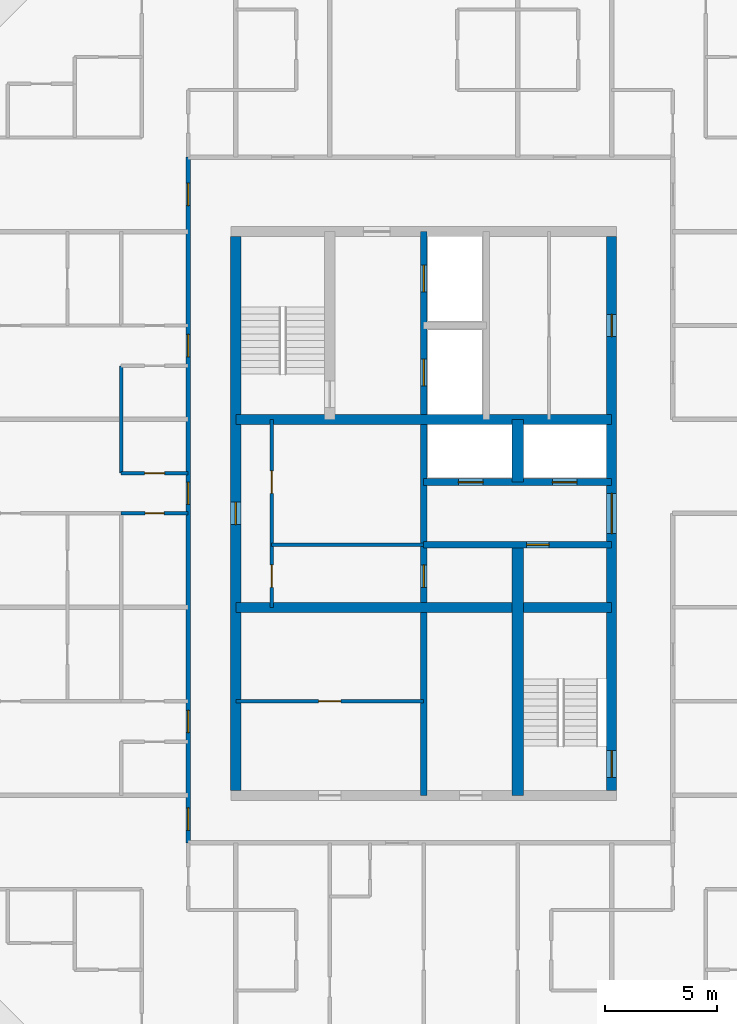
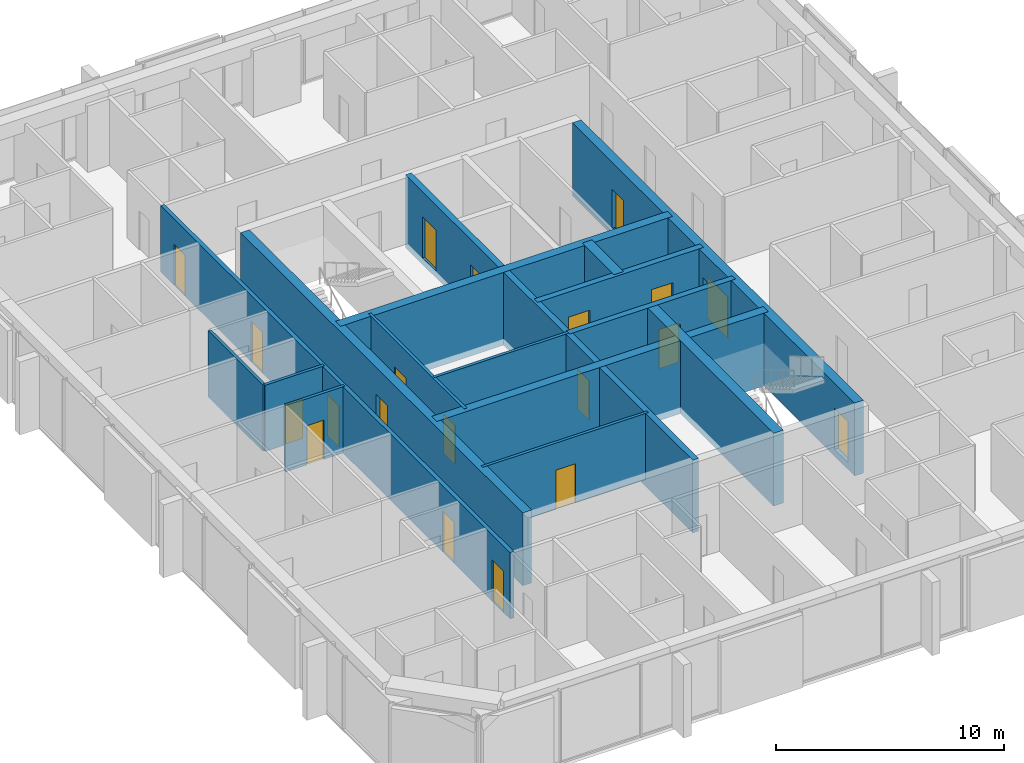
# One storey, part 8 of 12: 20 doors, 16 walls, 20 openings.
"""IFC4 building model written with IfcOpenShell, lengths in metres."""

from ifc_helpers import new_model, si_unit, direction, frame, frame_2d, origin, place, context, subcontext, project, spatial, rectangle, extrude, material, layer, layer_set, type_object, element, fill, save


model = new_model("IFC4")

# Units and contexts
model_context = context("Model", 3, precision=1e-05, world=origin(), true_north=direction((0.0, 1.0)))
body_context = subcontext(model_context, "Body", "Model", "MODEL_VIEW")
ifc_project = project(units=[si_unit("LENGTHUNIT", "METRE"), si_unit("AREAUNIT", "SQUARE_METRE"), si_unit("VOLUMEUNIT", "CUBIC_METRE"), si_unit("PLANEANGLEUNIT", "RADIAN"), si_unit("MASSUNIT", "GRAM", prefix="KILO")], contexts=[model_context])

# Site, building, storey
site_placement = place(None, origin())
site = spatial("IfcSite", under=ifc_project, at=site_placement, CompositionType="ELEMENT")
building_placement = place(site_placement, origin())
building = spatial("IfcBuilding", under=site, at=building_placement, Name="Dunama Terrace Hotel", CompositionType="ELEMENT")
storey_placement = place(building_placement, frame((0.0, 0.0, 260.699951171875)))
storey = spatial("IfcBuildingStorey", under=building, at=storey_placement, Name="L67", CompositionType="ELEMENT", Elevation=260.699951171875)

# Wall, opening, door
ifc_material_1 = material(Name="Gypsum board partition", Category="masonry")
ifc_layer_1 = layer(ifc_material_1, 0.14990234375)
ifc_layer_set_1 = layer_set([ifc_layer_1], Name="Bathroom partition 150")
wall_type_1 = type_object("IfcWallType", Name="Bathroom partition 150", PredefinedType="PARTITIONING", material=ifc_layer_set_1)
wall_1_placement = place(storey_placement, frame((20.074951171875, 29.39990234375, 0.0), z_axis=(0.0, 0.0, 1.0), x_axis=(1.0, 0.0, 0.0)))
wall_1 = element("IfcWall", 1, at=wall_1_placement, inside=storey, type_object=wall_type_1, Name="Bathroom partition 150 L67", PredefinedType="PARTITIONING", context=body_context, shape_type="SweptSolid", body=[
    extrude(rectangle(XDim=3.0, YDim=0.14990234375, at=frame_2d((1.5, 0.0))), origin(), (0.0, 0.0, 1.0), 3.550048828125),
])
opening_1_placement = place(wall_1_placement, frame((1.074951171875, 0.0, 0.0)))
opening_1 = element("IfcOpeningElement", 2, at=opening_1_placement, cuts=wall_1, Name="Opening L65-67-036", PredefinedType="OPENING", context=body_context, shape_type="SweptSolid", body=[
    extrude(rectangle(XDim=0.85009765625, YDim=2.10009765625, at=frame_2d((0.425048828125, 1.050048828125))), frame((0.0, 0.0849609375, 0.0), z_axis=(0.0, -1.0, 0.0), x_axis=(1.0, 0.0, 0.0)), (0.0, 0.0, 1.0), 0.169921875),
])
ifc_material_2 = material(Name="Timber door with steel frame", Category="steel")
door_type_1 = type_object("IfcDoorType", Name="Bathroom door 850", OperationType="SINGLE_SWING_LEFT", PredefinedType="DOOR", material=ifc_material_2)
door_1_placement = place(opening_1_placement, frame((0.85009765625, 0.0, 0.0), z_axis=(0.0, 0.0, 1.0), x_axis=(-1.0, 0.0, 0.0)))
door_1 = element("IfcDoor", 3, at=door_1_placement, inside=storey, type_object=door_type_1, Name="Door to residence bathroom L65-67-036, type D2", OperationType="SINGLE_SWING_LEFT", OverallHeight=2.10009765625, OverallWidth=0.85009765625, PredefinedType="DOOR", context=body_context, shape_type="SweptSolid", body=[
    extrude(rectangle(XDim=0.85009765625, YDim=2.10009765625, at=frame_2d((0.425048828125, 1.050048828125))), frame((0.0, 0.025146484375, 0.0), z_axis=(0.0, -1.0, 0.0), x_axis=(1.0, 0.0, 0.0)), (0.0, 0.0, 1.0), 0.050048828125),
])
fill(opening_1, door_1)

# Wall, openings, doors
ifc_material_3 = material(Name="Concrete C50/60", Category="concrete")
ifc_layer_2 = layer(ifc_material_3, 0.300048828125)
ifc_layer_set_2 = layer_set([ifc_layer_2], Name="Core inner wall 300")
wall_type_2 = type_object("IfcWallType", Name="Core inner wall 300", PredefinedType="SHEAR", material=ifc_layer_set_2)
wall_2_placement = place(storey_placement, frame((33.60009765625, 16.800048828125, -0.349853515625), z_axis=(0.0, 0.0, 1.0), x_axis=(0.0, 1.0, 0.0)))
wall_2 = element("IfcWall", 4, at=wall_2_placement, inside=storey, type_object=wall_type_2, Name="Core inner wall 300 L67", PredefinedType="SHEAR", context=body_context, shape_type="SweptSolid", body=[
    extrude(rectangle(XDim=25.199951171875, YDim=0.300048828125, at=frame_2d((12.60009765625, 0.0))), origin(), (0.0, 0.0, 1.0), 3.89990234375),
])
opening_2_placement = place(wall_2_placement, frame((22.5, 0.0, 0.35009765625)))
opening_2 = element("IfcOpeningElement", 5, at=opening_2_placement, cuts=wall_2, Name="Opening L65-67-005", PredefinedType="OPENING", context=body_context, shape_type="SweptSolid", body=[
    extrude(rectangle(XDim=1.199951171875, YDim=2.199951171875, at=frame_2d((0.60009765625, 1.10009765625))), frame((0.0, 0.159912109375, 0.0), z_axis=(0.0, -1.0, 0.0), x_axis=(1.0, 0.0, 0.0)), (0.0, 0.0, 1.0), 0.320068359375),
])
opening_3_placement = place(wall_2_placement, frame((18.300048828125, 0.0, 0.35009765625)))
opening_3 = element("IfcOpeningElement", 6, at=opening_3_placement, cuts=wall_2, Name="Opening L65-67-006", PredefinedType="OPENING", context=body_context, shape_type="SweptSolid", body=[
    extrude(rectangle(XDim=1.199951171875, YDim=2.199951171875, at=frame_2d((0.60009765625, 1.10009765625))), frame((0.0, 0.159912109375, 0.0), z_axis=(0.0, -1.0, 0.0), x_axis=(1.0, 0.0, 0.0)), (0.0, 0.0, 1.0), 0.320068359375),
])
opening_4_placement = place(wall_2_placement, frame((9.300048828125, 0.0, 0.35009765625)))
opening_4 = element("IfcOpeningElement", 7, at=opening_4_placement, cuts=wall_2, Name="Opening L65-67-067", PredefinedType="OPENING", context=body_context, shape_type="SweptSolid", body=[
    extrude(rectangle(XDim=1.0, YDim=2.10009765625, at=frame_2d((0.5, 1.050048828125))), frame((0.0, 0.159912109375, 0.0), z_axis=(0.0, -1.0, 0.0), x_axis=(1.0, 0.0, 0.0)), (0.0, 0.0, 1.0), 0.320068359375),
])
ifc_material_4 = material(Name="Stainless steel lift door", Category="steel")
door_type_2 = type_object("IfcDoorType", Name="Firefighting lift landing door 1200", OperationType="DOUBLE_DOOR_SLIDING", PredefinedType="DOOR", material=ifc_material_4)
door_2_placement = place(opening_2_placement, origin())
door_2 = element("IfcDoor", 8, at=door_2_placement, inside=storey, type_object=door_type_2, Name="Landing door FL1 L65-67-005, type LD2", OperationType="DOUBLE_DOOR_SLIDING", OverallHeight=2.199951171875, OverallWidth=1.199951171875, PredefinedType="DOOR", context=body_context, shape_type="SweptSolid", body=[
    extrude(rectangle(XDim=1.199951171875, YDim=2.199951171875, at=frame_2d((0.60009765625, 1.10009765625))), frame((0.0, 0.02490234375, 0.0), z_axis=(0.0, -1.0, 0.0), x_axis=(1.0, 0.0, 0.0)), (0.0, 0.0, 1.0), 0.050048828125),
])
fill(opening_2, door_2)
door_3_placement = place(opening_3_placement, origin())
door_3 = element("IfcDoor", 9, at=door_3_placement, inside=storey, type_object=door_type_2, Name="Landing door FL2 L65-67-006, type LD2", OperationType="DOUBLE_DOOR_SLIDING", OverallHeight=2.199951171875, OverallWidth=1.199951171875, PredefinedType="DOOR", context=body_context, shape_type="SweptSolid", body=[
    extrude(rectangle(XDim=1.199951171875, YDim=2.199951171875, at=frame_2d((0.60009765625, 1.10009765625))), frame((0.0, 0.02490234375, 0.0), z_axis=(0.0, -1.0, 0.0), x_axis=(1.0, 0.0, 0.0)), (0.0, 0.0, 1.0), 0.050048828125),
])
fill(opening_3, door_3)
ifc_material_5 = material(Name="Timber door with steel frame", Category="steel")
door_type_3 = type_object("IfcDoorType", Name="Service door 1000", OperationType="SINGLE_SWING_LEFT", PredefinedType="DOOR", material=ifc_material_5)
door_4_placement = place(opening_4_placement, frame((1.0, 0.0, 0.0), z_axis=(0.0, 0.0, 1.0), x_axis=(-1.0, 0.0, 0.0)))
door_4 = element("IfcDoor", 10, at=door_4_placement, inside=storey, type_object=door_type_3, Name="Door to service riser L65-67-067, type D7", OperationType="SINGLE_SWING_RIGHT", OverallHeight=2.10009765625, OverallWidth=1.0, PredefinedType="DOOR", context=body_context, shape_type="SweptSolid", body=[
    extrude(rectangle(XDim=1.0, YDim=2.10009765625, at=frame_2d((0.5, 1.050048828125))), frame((0.0, 0.025146484375, 0.0), z_axis=(0.0, -1.0, 0.0), x_axis=(1.0, 0.0, 0.0)), (0.0, 0.0, 1.0), 0.050048828125),
])
fill(opening_4, door_4)

# Wall, opening, door
wall_3_placement = place(storey_placement, frame((33.60009765625, 28.0, -0.349853515625), z_axis=(0.0, 0.0, 1.0), x_axis=(1.0, 0.0, 0.0)))
wall_3 = element("IfcWall", 11, at=wall_3_placement, inside=storey, type_object=wall_type_2, Name="Core inner wall 300 L67", PredefinedType="SHEAR", context=body_context, shape_type="SweptSolid", body=[
    extrude(rectangle(XDim=8.39990234375, YDim=0.300048828125, at=frame_2d((4.199951171875, 0.0))), origin(), (0.0, 0.0, 1.0), 3.89990234375),
])
opening_5_placement = place(wall_3_placement, frame((4.60009765625, 0.0, 0.35009765625)))
opening_5 = element("IfcOpeningElement", 12, at=opening_5_placement, cuts=wall_3, Name="Opening L65-67-068", PredefinedType="OPENING", context=body_context, shape_type="SweptSolid", body=[
    extrude(rectangle(XDim=1.0, YDim=2.10009765625, at=frame_2d((0.5, 1.050048828125))), frame((0.0, 0.159912109375, 0.0), z_axis=(0.0, -1.0, 0.0), x_axis=(1.0, 0.0, 0.0)), (0.0, 0.0, 1.0), 0.320068359375),
])
door_5_placement = place(opening_5_placement, frame((1.0, 0.0, 0.0), z_axis=(0.0, 0.0, 1.0), x_axis=(-1.0, 0.0, 0.0)))
door_5 = element("IfcDoor", 13, at=door_5_placement, inside=storey, type_object=door_type_3, Name="Door to ice and vending room L65-67-068, type D7", OperationType="SINGLE_SWING_RIGHT", OverallHeight=2.10009765625, OverallWidth=1.0, PredefinedType="DOOR", context=body_context, shape_type="SweptSolid", body=[
    extrude(rectangle(XDim=1.0, YDim=2.10009765625, at=frame_2d((0.5, 1.050048828125))), frame((0.0, 0.025146484375, 0.0), z_axis=(0.0, -1.0, 0.0), x_axis=(1.0, 0.0, 0.0)), (0.0, 0.0, 1.0), 0.050048828125),
])
fill(opening_5, door_5)

# Wall, openings, doors
wall_4_placement = place(storey_placement, frame((33.60009765625, 30.800048828125, -0.349853515625), z_axis=(0.0, 0.0, 1.0), x_axis=(1.0, 0.0, 0.0)))
wall_4 = element("IfcWall", 14, at=wall_4_placement, inside=storey, type_object=wall_type_2, Name="Core inner wall 300 L67", PredefinedType="SHEAR", context=body_context, shape_type="SweptSolid", body=[
    extrude(rectangle(XDim=8.39990234375, YDim=0.300048828125, at=frame_2d((4.199951171875, 0.0))), origin(), (0.0, 0.0, 1.0), 3.89990234375),
])
opening_6_placement = place(wall_4_placement, frame((1.550048828125, 0.0, 0.35009765625)))
opening_6 = element("IfcOpeningElement", 15, at=opening_6_placement, cuts=wall_4, Name="Opening L65-67-003", PredefinedType="OPENING", context=body_context, shape_type="SweptSolid", body=[
    extrude(rectangle(XDim=1.10009765625, YDim=2.199951171875, at=frame_2d((0.550048828125, 1.10009765625))), frame((0.0, 0.159912109375, 0.0), z_axis=(0.0, -1.0, 0.0), x_axis=(1.0, 0.0, 0.0)), (0.0, 0.0, 1.0), 0.320068359375),
])
opening_7_placement = place(wall_4_placement, frame((5.75, 0.0, 0.35009765625)))
opening_7 = element("IfcOpeningElement", 16, at=opening_7_placement, cuts=wall_4, Name="Opening L65-67-004", PredefinedType="OPENING", context=body_context, shape_type="SweptSolid", body=[
    extrude(rectangle(XDim=1.10009765625, YDim=2.199951171875, at=frame_2d((0.550048828125, 1.10009765625))), frame((0.0, 0.159912109375, 0.0), z_axis=(0.0, -1.0, 0.0), x_axis=(1.0, 0.0, 0.0)), (0.0, 0.0, 1.0), 0.320068359375),
])
ifc_material_6 = material(Name="Stainless steel lift door", Category="steel")
door_type_4 = type_object("IfcDoorType", Name="Lift landing door 1100", OperationType="DOUBLE_DOOR_SLIDING", PredefinedType="DOOR", material=ifc_material_6)
door_6_placement = place(opening_6_placement, origin())
door_6 = element("IfcDoor", 17, at=door_6_placement, inside=storey, type_object=door_type_4, Name="Landing door PD1 L65-67-003, type LD1", OperationType="DOUBLE_DOOR_SLIDING", OverallHeight=2.199951171875, OverallWidth=1.10009765625, PredefinedType="DOOR", context=body_context, shape_type="SweptSolid", body=[
    extrude(rectangle(XDim=1.10009765625, YDim=2.199951171875, at=frame_2d((0.550048828125, 1.10009765625))), frame((0.0, 0.02490234375, 0.0), z_axis=(0.0, -1.0, 0.0), x_axis=(1.0, 0.0, 0.0)), (0.0, 0.0, 1.0), 0.050048828125),
])
fill(opening_6, door_6)
door_7_placement = place(opening_7_placement, origin())
door_7 = element("IfcDoor", 18, at=door_7_placement, inside=storey, type_object=door_type_4, Name="Landing door PD2 L65-67-004, type LD1", OperationType="DOUBLE_DOOR_SLIDING", OverallHeight=2.199951171875, OverallWidth=1.10009765625, PredefinedType="DOOR", context=body_context, shape_type="SweptSolid", body=[
    extrude(rectangle(XDim=1.10009765625, YDim=2.199951171875, at=frame_2d((0.550048828125, 1.10009765625))), frame((0.0, 0.02490234375, 0.0), z_axis=(0.0, -1.0, 0.0), x_axis=(1.0, 0.0, 0.0)), (0.0, 0.0, 1.0), 0.050048828125),
])
fill(opening_7, door_7)

# Walls
ifc_material_7 = material(Name="Concrete C50/60", Category="concrete")
ifc_layer_3 = layer(ifc_material_7, 0.449951171875)
ifc_layer_set_3 = layer_set([ifc_layer_3], Name="Core inner wall 450")
wall_type_3 = type_object("IfcWallType", Name="Core inner wall 450", PredefinedType="SHEAR", material=ifc_layer_set_3)
for number, where, z_axis, x_axis, name in (
    (19, (25.199951171875, 25.199951171875, -0.349853515625), (0.0, 0.0, 1.0), (1.0, 0.0, 0.0), "Core inner wall 450 L67"),
    (20, (25.199951171875, 33.60009765625, -0.349853515625), (0.0, 0.0, 1.0), (1.0, 0.0, 0.0), "Core inner wall 450 L67"),
):
    element("IfcWall", number, at=place(storey_placement, frame(where, z_axis=z_axis, x_axis=x_axis)), inside=storey, type_object=wall_type_3, Name=name, PredefinedType="SHEAR", context=body_context, shape_type="SweptSolid", body=[
        extrude(rectangle(XDim=16.800048828125, YDim=0.449951171875, at=frame_2d((8.39990234375, 0.0))), origin(), (0.0, 0.0, 1.0), 3.89990234375),
    ])
ifc_material_8 = material(Name="Concrete C50/60", Category="concrete")
ifc_layer_4 = layer(ifc_material_8, 0.5)
ifc_layer_set_4 = layer_set([ifc_layer_4], Name="Core inner wall 500")
wall_type_4 = type_object("IfcWallType", Name="Core inner wall 500", PredefinedType="SHEAR", material=ifc_layer_set_4)
wall_5_placement = place(storey_placement, frame((37.800048828125, 16.800048828125, -0.349853515625), z_axis=(0.0, 0.0, 1.0), x_axis=(0.0, 1.0, 0.0)))
element("IfcWall", 21, at=wall_5_placement, inside=storey, type_object=wall_type_4, Name="Core inner wall 500 L67", PredefinedType="SHEAR", context=body_context, shape_type="SweptSolid", body=[
    extrude(rectangle(XDim=11.199951171875, YDim=0.5, at=frame_2d((5.60009765625, 0.0))), origin(), (0.0, 0.0, 1.0), 3.89990234375),
])
wall_6_placement = place(storey_placement, frame((37.800048828125, 30.800048828125, -0.349853515625), z_axis=(0.0, 0.0, 1.0), x_axis=(0.0, 1.0, 0.0)))
element("IfcWall", 22, at=wall_6_placement, inside=storey, type_object=wall_type_4, Name="Core inner wall 500 L67", PredefinedType="SHEAR", context=body_context, shape_type="SweptSolid", body=[
    extrude(rectangle(XDim=2.800048828125, YDim=0.5, at=frame_2d((1.39990234375, 0.0))), origin(), (0.0, 0.0, 1.0), 3.89990234375),
])

# Wall, openings, doors
ifc_material_9 = material(Name="Concrete C50/60", Category="concrete")
ifc_layer_5 = layer(ifc_material_9, 0.449951171875)
ifc_layer_set_5 = layer_set([ifc_layer_5], Name="Core wall 450")
wall_type_5 = type_object("IfcWallType", Name="Core wall 450", PredefinedType="SHEAR", material=ifc_layer_set_5)
wall_7_placement = place(storey_placement, frame((42.0, 17.02490234375, -0.349853515625), z_axis=(0.0, 0.0, 1.0), x_axis=(0.0, 1.0, 0.0)))
wall_7 = element("IfcWall", 23, at=wall_7_placement, inside=storey, type_object=wall_type_5, Name="Core wall east L67", PredefinedType="SHEAR", context=body_context, shape_type="SweptSolid", body=[
    extrude(rectangle(XDim=24.75, YDim=0.449951171875, at=frame_2d((12.375, 0.0))), origin(), (0.0, 0.0, 1.0), 3.89990234375),
])
opening_8_placement = place(wall_7_placement, frame((0.574951171875, 0.0, 0.35009765625)))
opening_8 = element("IfcOpeningElement", 24, at=opening_8_placement, cuts=wall_7, Name="Opening L65-67-002", PredefinedType="OPENING", context=body_context, shape_type="SweptSolid", body=[
    extrude(rectangle(XDim=1.199951171875, YDim=2.199951171875, at=frame_2d((0.60009765625, 1.10009765625))), frame((0.0, 0.23486328125, 0.0), z_axis=(0.0, -1.0, 0.0), x_axis=(1.0, 0.0, 0.0)), (0.0, 0.0, 1.0), 0.469970703125),
])
opening_9_placement = place(wall_7_placement, frame((11.47509765625, 0.0, 0.35009765625)))
opening_9 = element("IfcOpeningElement", 25, at=opening_9_placement, cuts=wall_7, Name="Opening L65-67-069", PredefinedType="OPENING", context=body_context, shape_type="SweptSolid", body=[
    extrude(rectangle(XDim=1.800048828125, YDim=2.199951171875, at=frame_2d((0.89990234375, 1.10009765625))), frame((0.0, 0.23486328125, 0.0), z_axis=(0.0, -1.0, 0.0), x_axis=(1.0, 0.0, 0.0)), (0.0, 0.0, 1.0), 0.469970703125),
])
opening_10_placement = place(wall_7_placement, frame((20.27490234375, 0.0, 0.35009765625)))
opening_10 = element("IfcOpeningElement", 26, at=opening_10_placement, cuts=wall_7, Name="Opening L65-67-071", PredefinedType="OPENING", context=body_context, shape_type="SweptSolid", body=[
    extrude(rectangle(XDim=1.0, YDim=2.10009765625, at=frame_2d((0.5, 1.050048828125))), frame((0.0, 0.23486328125, 0.0), z_axis=(0.0, -1.0, 0.0), x_axis=(1.0, 0.0, 0.0)), (0.0, 0.0, 1.0), 0.469970703125),
])
ifc_material_10 = material(Name="Timber door with steel frame", Category="steel")
door_type_5 = type_object("IfcDoorType", Name="Lift lobby double door 1800", OperationType="DOUBLE_DOOR_DOUBLE_SWING", PredefinedType="DOOR", material=ifc_material_10)
door_8_placement = place(opening_9_placement, origin())
door_8 = element("IfcDoor", 27, at=door_8_placement, inside=storey, type_object=door_type_5, Name="Door to lift lobby L65-67-069, type D3", OperationType="DOUBLE_DOOR_DOUBLE_SWING", OverallHeight=2.199951171875, OverallWidth=1.800048828125, PredefinedType="DOOR", context=body_context, shape_type="SweptSolid", body=[
    extrude(rectangle(XDim=1.800048828125, YDim=2.199951171875, at=frame_2d((0.89990234375, 1.10009765625))), frame((0.0, 0.02490234375, 0.0), z_axis=(0.0, -1.0, 0.0), x_axis=(1.0, 0.0, 0.0)), (0.0, 0.0, 1.0), 0.050048828125),
])
fill(opening_9, door_8)
door_9_placement = place(opening_10_placement, origin())
door_9 = element("IfcDoor", 28, at=door_9_placement, inside=storey, type_object=door_type_3, Name="Door to housekeeping store L65-67-071, type D7", OperationType="SINGLE_SWING_LEFT", OverallHeight=2.10009765625, OverallWidth=1.0, PredefinedType="DOOR", context=body_context, shape_type="SweptSolid", body=[
    extrude(rectangle(XDim=1.0, YDim=2.10009765625, at=frame_2d((0.5, 1.050048828125))), frame((0.0, 0.02490234375, 0.0), z_axis=(0.0, -1.0, 0.0), x_axis=(1.0, 0.0, 0.0)), (0.0, 0.0, 1.0), 0.050048828125),
])
fill(opening_10, door_9)
ifc_material_11 = material(Name="Timber door with steel frame", Category="steel")
door_type_6 = type_object("IfcDoorType", Name="Stair door 1200", OperationType="SINGLE_SWING_LEFT", PredefinedType="DOOR", material=ifc_material_11)
door_10_placement = place(opening_8_placement, origin())
door_10 = element("IfcDoor", 29, at=door_10_placement, inside=storey, type_object=door_type_6, Name="Stair door ST2 L65-67-002, type D5", OperationType="SINGLE_SWING_LEFT", OverallHeight=2.199951171875, OverallWidth=1.199951171875, PredefinedType="DOOR", context=body_context, shape_type="SweptSolid", body=[
    extrude(rectangle(XDim=1.199951171875, YDim=2.199951171875, at=frame_2d((0.60009765625, 1.10009765625))), frame((0.0, 0.02490234375, 0.0), z_axis=(0.0, -1.0, 0.0), x_axis=(1.0, 0.0, 0.0)), (0.0, 0.0, 1.0), 0.050048828125),
])
fill(opening_8, door_10)

# Wall, opening, door
wall_8_placement = place(storey_placement, frame((25.199951171875, 41.77490234375, -0.349853515625), z_axis=(0.0, 0.0, 1.0), x_axis=(0.0, -1.0, 0.0)))
wall_8 = element("IfcWall", 30, at=wall_8_placement, inside=storey, type_object=wall_type_5, Name="Core wall west L67", PredefinedType="SHEAR", context=body_context, shape_type="SweptSolid", body=[
    extrude(rectangle(XDim=24.75, YDim=0.449951171875, at=frame_2d((12.375, 0.0))), origin(), (0.0, 0.0, 1.0), 3.89990234375),
])
opening_11_placement = place(wall_8_placement, frame((11.875, 0.0, 0.35009765625)))
opening_11 = element("IfcOpeningElement", 31, at=opening_11_placement, cuts=wall_8, Name="Opening L65-67-064", PredefinedType="OPENING", context=body_context, shape_type="SweptSolid", body=[
    extrude(rectangle(XDim=1.0, YDim=2.10009765625, at=frame_2d((0.5, 1.050048828125))), frame((0.0, 0.23486328125, 0.0), z_axis=(0.0, -1.0, 0.0), x_axis=(1.0, 0.0, 0.0)), (0.0, 0.0, 1.0), 0.469970703125),
])
door_11_placement = place(opening_11_placement, origin())
door_11 = element("IfcDoor", 32, at=door_11_placement, inside=storey, type_object=door_type_3, Name="Door to staff passage L65-67-064, type D7", OperationType="SINGLE_SWING_LEFT", OverallHeight=2.10009765625, OverallWidth=1.0, PredefinedType="DOOR", context=body_context, shape_type="SweptSolid", body=[
    extrude(rectangle(XDim=1.0, YDim=2.10009765625, at=frame_2d((0.5, 1.050048828125))), frame((0.0, 0.02490234375, 0.0), z_axis=(0.0, -1.0, 0.0), x_axis=(1.0, 0.0, 0.0)), (0.0, 0.0, 1.0), 0.050048828125),
])
fill(opening_11, door_11)

# Wall, openings, doors
ifc_material_12 = material(Name="Concrete blockwork", Category="masonry")
ifc_layer_6 = layer(ifc_material_12, 0.199951171875)
ifc_layer_set_6 = layer_set([ifc_layer_6], Name="Corridor partition 200")
wall_type_6 = type_object("IfcWallType", Name="Corridor partition 200", PredefinedType="PARTITIONING", material=ifc_layer_set_6)
wall_9_placement = place(storey_placement, frame((23.074951171875, 14.675048828125, 0.0), z_axis=(0.0, 0.0, 1.0), x_axis=(0.0, 1.0, 0.0)))
wall_9 = element("IfcWall", 33, at=wall_9_placement, inside=storey, type_object=wall_type_6, Name="Corridor partition 200 L67", PredefinedType="PARTITIONING", context=body_context, shape_type="SweptSolid", body=[
    extrude(rectangle(XDim=30.64990234375, YDim=0.199951171875, at=frame_2d((15.324951171875, 0.0))), origin(), (0.0, 0.0, 1.0), 3.550048828125),
])
opening_12_placement = place(wall_9_placement, frame((4.925048828125, 0.0, 0.0)))
opening_12 = element("IfcOpeningElement", 34, at=opening_12_placement, cuts=wall_9, Name="Opening L65-67-029", PredefinedType="OPENING", context=body_context, shape_type="SweptSolid", body=[
    extrude(rectangle(XDim=1.0, YDim=2.199951171875, at=frame_2d((0.5, 1.10009765625))), frame((0.0, 0.10986328125, 0.0), z_axis=(0.0, -1.0, 0.0), x_axis=(1.0, 0.0, 0.0)), (0.0, 0.0, 1.0), 0.219970703125),
])
opening_13_placement = place(wall_9_placement, frame((15.125, 0.0, 0.0)))
opening_13 = element("IfcOpeningElement", 35, at=opening_13_placement, cuts=wall_9, Name="Opening L65-67-034", PredefinedType="OPENING", context=body_context, shape_type="SweptSolid", body=[
    extrude(rectangle(XDim=1.0, YDim=2.199951171875, at=frame_2d((0.5, 1.10009765625))), frame((0.0, 0.10986328125, 0.0), z_axis=(0.0, -1.0, 0.0), x_axis=(1.0, 0.0, 0.0)), (0.0, 0.0, 1.0), 0.219970703125),
])
opening_14_placement = place(wall_9_placement, frame((21.72509765625, 0.0, 0.0)))
opening_14 = element("IfcOpeningElement", 36, at=opening_14_placement, cuts=wall_9, Name="Opening L65-67-039", PredefinedType="OPENING", context=body_context, shape_type="SweptSolid", body=[
    extrude(rectangle(XDim=1.0, YDim=2.199951171875, at=frame_2d((0.5, 1.10009765625))), frame((0.0, 0.10986328125, 0.0), z_axis=(0.0, -1.0, 0.0), x_axis=(1.0, 0.0, 0.0)), (0.0, 0.0, 1.0), 0.219970703125),
])
opening_15_placement = place(wall_9_placement, frame((0.56298828125, 0.0, 0.0)))
opening_15 = element("IfcOpeningElement", 37, at=opening_15_placement, cuts=wall_9, Name="Opening L65-67-044", PredefinedType="OPENING", context=body_context, shape_type="SweptSolid", body=[
    extrude(rectangle(XDim=1.0, YDim=2.199951171875, at=frame_2d((0.5, 1.10009765625))), frame((0.0, 0.10986328125, 0.0), z_axis=(0.0, -1.0, 0.0), x_axis=(1.0, 0.0, 0.0)), (0.0, 0.0, 1.0), 0.219970703125),
])
opening_16_placement = place(wall_9_placement, frame((28.488037109375, 0.0, 0.0)))
opening_16 = element("IfcOpeningElement", 38, at=opening_16_placement, cuts=wall_9, Name="Opening L65-67-059", PredefinedType="OPENING", context=body_context, shape_type="SweptSolid", body=[
    extrude(rectangle(XDim=1.0, YDim=2.199951171875, at=frame_2d((0.5, 1.10009765625))), frame((0.0, 0.10986328125, 0.0), z_axis=(0.0, -1.0, 0.0), x_axis=(1.0, 0.0, 0.0)), (0.0, 0.0, 1.0), 0.219970703125),
])
ifc_material_13 = material(Name="Timber door with steel frame", Category="steel")
door_type_7 = type_object("IfcDoorType", Name="Guest room door 1000", OperationType="SINGLE_SWING_LEFT", PredefinedType="DOOR", material=ifc_material_13)
door_12_placement = place(opening_12_placement, origin())
door_12 = element("IfcDoor", 39, at=door_12_placement, inside=storey, type_object=door_type_7, Name="Door to residence living room L65-67-029, type D1", OperationType="SINGLE_SWING_RIGHT", OverallHeight=2.199951171875, OverallWidth=1.0, PredefinedType="DOOR", context=body_context, shape_type="SweptSolid", body=[
    extrude(rectangle(XDim=1.0, YDim=2.199951171875, at=frame_2d((0.5, 1.10009765625))), frame((0.0, 0.02490234375, 0.0), z_axis=(0.0, -1.0, 0.0), x_axis=(1.0, 0.0, 0.0)), (0.0, 0.0, 1.0), 0.050048828125),
])
fill(opening_12, door_12)
door_13_placement = place(opening_13_placement, origin())
door_13 = element("IfcDoor", 40, at=door_13_placement, inside=storey, type_object=door_type_7, Name="Door to residence living room L65-67-034, type D1", OperationType="SINGLE_SWING_RIGHT", OverallHeight=2.199951171875, OverallWidth=1.0, PredefinedType="DOOR", context=body_context, shape_type="SweptSolid", body=[
    extrude(rectangle(XDim=1.0, YDim=2.199951171875, at=frame_2d((0.5, 1.10009765625))), frame((0.0, 0.02490234375, 0.0), z_axis=(0.0, -1.0, 0.0), x_axis=(1.0, 0.0, 0.0)), (0.0, 0.0, 1.0), 0.050048828125),
])
fill(opening_13, door_13)
door_14_placement = place(opening_14_placement, origin())
door_14 = element("IfcDoor", 41, at=door_14_placement, inside=storey, type_object=door_type_7, Name="Door to residence living room L65-67-039, type D1", OperationType="SINGLE_SWING_RIGHT", OverallHeight=2.199951171875, OverallWidth=1.0, PredefinedType="DOOR", context=body_context, shape_type="SweptSolid", body=[
    extrude(rectangle(XDim=1.0, YDim=2.199951171875, at=frame_2d((0.5, 1.10009765625))), frame((0.0, 0.02490234375, 0.0), z_axis=(0.0, -1.0, 0.0), x_axis=(1.0, 0.0, 0.0)), (0.0, 0.0, 1.0), 0.050048828125),
])
fill(opening_14, door_14)
door_15_placement = place(opening_15_placement, origin())
door_15 = element("IfcDoor", 42, at=door_15_placement, inside=storey, type_object=door_type_7, Name="Door to grand corner suite living room L65-67-044, type D1", OperationType="SINGLE_SWING_RIGHT", OverallHeight=2.199951171875, OverallWidth=1.0, PredefinedType="DOOR", context=body_context, shape_type="SweptSolid", body=[
    extrude(rectangle(XDim=1.0, YDim=2.199951171875, at=frame_2d((0.5, 1.10009765625))), frame((0.0, 0.02490234375, 0.0), z_axis=(0.0, -1.0, 0.0), x_axis=(1.0, 0.0, 0.0)), (0.0, 0.0, 1.0), 0.050048828125),
])
fill(opening_15, door_15)
door_16_placement = place(opening_16_placement, origin())
door_16 = element("IfcDoor", 43, at=door_16_placement, inside=storey, type_object=door_type_7, Name="Door to grand corner suite living room L65-67-059, type D1", OperationType="SINGLE_SWING_RIGHT", OverallHeight=2.199951171875, OverallWidth=1.0, PredefinedType="DOOR", context=body_context, shape_type="SweptSolid", body=[
    extrude(rectangle(XDim=1.0, YDim=2.199951171875, at=frame_2d((0.5, 1.10009765625))), frame((0.0, 0.02490234375, 0.0), z_axis=(0.0, -1.0, 0.0), x_axis=(1.0, 0.0, 0.0)), (0.0, 0.0, 1.0), 0.050048828125),
])
fill(opening_16, door_16)

# Wall
ifc_material_14 = material(Name="Gypsum board partition", Category="masonry")
ifc_layer_7 = layer(ifc_material_14, 0.14990234375)
ifc_layer_set_7 = layer_set([ifc_layer_7], Name="Room partition 150")
wall_type_7 = type_object("IfcWallType", Name="Room partition 150", PredefinedType="PARTITIONING", material=ifc_layer_set_7)
wall_10_placement = place(storey_placement, frame((20.074951171875, 31.199951171875, 0.0), z_axis=(0.0, 0.0, 1.0), x_axis=(0.0, 1.0, 0.0)))
element("IfcWall", 44, at=wall_10_placement, inside=storey, type_object=wall_type_7, Name="Room partition 150 L67", PredefinedType="PARTITIONING", context=body_context, shape_type="SweptSolid", body=[
    extrude(rectangle(XDim=4.800048828125, YDim=0.14990234375, at=frame_2d((2.39990234375, 0.0))), origin(), (0.0, 0.0, 1.0), 3.550048828125),
])

# Wall, openings, doors
wall_11_placement = place(storey_placement, frame((26.800048828125, 25.199951171875, 0.0), z_axis=(0.0, 0.0, 1.0), x_axis=(0.0, 1.0, 0.0)))
wall_11 = element("IfcWall", 45, at=wall_11_placement, inside=storey, type_object=wall_type_7, Name="Room partition 150 L67", PredefinedType="PARTITIONING", context=body_context, shape_type="SweptSolid", body=[
    extrude(rectangle(XDim=8.400146484375, YDim=0.14990234375, at=frame_2d((4.2001953125, 0.0))), origin(), (0.0, 0.0, 1.0), 3.550048828125),
])
opening_17_placement = place(wall_11_placement, frame((0.89990234375, 0.0, 0.0)))
opening_17 = element("IfcOpeningElement", 46, at=opening_17_placement, cuts=wall_11, Name="Opening L65-67-065", PredefinedType="OPENING", context=body_context, shape_type="SweptSolid", body=[
    extrude(rectangle(XDim=1.0, YDim=2.10009765625, at=frame_2d((0.5, 1.050048828125))), frame((0.0, 0.0849609375, 0.0), z_axis=(0.0, -1.0, 0.0), x_axis=(1.0, 0.0, 0.0)), (0.0, 0.0, 1.0), 0.169921875),
])
opening_18_placement = place(wall_11_placement, frame((5.10009765625, 0.0, 0.0)))
opening_18 = element("IfcOpeningElement", 47, at=opening_18_placement, cuts=wall_11, Name="Opening L65-67-066", PredefinedType="OPENING", context=body_context, shape_type="SweptSolid", body=[
    extrude(rectangle(XDim=1.0, YDim=2.10009765625, at=frame_2d((0.5, 1.050048828125))), frame((0.0, 0.0849609375, 0.0), z_axis=(0.0, -1.0, 0.0), x_axis=(1.0, 0.0, 0.0)), (0.0, 0.0, 1.0), 0.169921875),
])
door_17_placement = place(opening_17_placement, frame((1.0, 0.0, 0.0), z_axis=(0.0, 0.0, 1.0), x_axis=(-1.0, 0.0, 0.0)))
door_17 = element("IfcDoor", 48, at=door_17_placement, inside=storey, type_object=door_type_3, Name="Door to riser room L65-67-065, type D7", OperationType="SINGLE_SWING_RIGHT", OverallHeight=2.10009765625, OverallWidth=1.0, PredefinedType="DOOR", context=body_context, shape_type="SweptSolid", body=[
    extrude(rectangle(XDim=1.0, YDim=2.10009765625, at=frame_2d((0.5, 1.050048828125))), frame((0.0, 0.025146484375, 0.0), z_axis=(0.0, -1.0, 0.0), x_axis=(1.0, 0.0, 0.0)), (0.0, 0.0, 1.0), 0.050048828125),
])
fill(opening_17, door_17)
door_18_placement = place(opening_18_placement, frame((1.0, 0.0, 0.0), z_axis=(0.0, 0.0, 1.0), x_axis=(-1.0, 0.0, 0.0)))
door_18 = element("IfcDoor", 49, at=door_18_placement, inside=storey, type_object=door_type_3, Name="Door to linen and housekeeping room L65-67-066, type D7", OperationType="SINGLE_SWING_RIGHT", OverallHeight=2.10009765625, OverallWidth=1.0, PredefinedType="DOOR", context=body_context, shape_type="SweptSolid", body=[
    extrude(rectangle(XDim=1.0, YDim=2.10009765625, at=frame_2d((0.5, 1.050048828125))), frame((0.0, 0.025146484375, 0.0), z_axis=(0.0, -1.0, 0.0), x_axis=(1.0, 0.0, 0.0)), (0.0, 0.0, 1.0), 0.050048828125),
])
fill(opening_18, door_18)

# Wall, opening, door
wall_12_placement = place(storey_placement, frame((25.199951171875, 21.0, 0.0), z_axis=(0.0, 0.0, 1.0), x_axis=(1.0, 0.0, 0.0)))
wall_12 = element("IfcWall", 50, at=wall_12_placement, inside=storey, type_object=wall_type_7, Name="Room partition 150 L67", PredefinedType="PARTITIONING", context=body_context, shape_type="SweptSolid", body=[
    extrude(rectangle(XDim=8.400146484375, YDim=0.14990234375, at=frame_2d((4.2001953125, 0.0))), origin(), (0.0, 0.0, 1.0), 3.550048828125),
])
opening_19_placement = place(wall_12_placement, frame((3.699951171875, 0.0, 0.0)))
opening_19 = element("IfcOpeningElement", 51, at=opening_19_placement, cuts=wall_12, Name="Opening L65-67-074", PredefinedType="OPENING", context=body_context, shape_type="SweptSolid", body=[
    extrude(rectangle(XDim=1.0, YDim=2.10009765625, at=frame_2d((0.5, 1.050048828125))), frame((0.0, 0.0849609375, 0.0), z_axis=(0.0, -1.0, 0.0), x_axis=(1.0, 0.0, 0.0)), (0.0, 0.0, 1.0), 0.169921875),
])
door_19_placement = place(opening_19_placement, origin())
door_19 = element("IfcDoor", 52, at=door_19_placement, inside=storey, type_object=door_type_3, Name="Door to stair pressurisation fan room L65-67-074, type D7", OperationType="SINGLE_SWING_LEFT", OverallHeight=2.10009765625, OverallWidth=1.0, PredefinedType="DOOR", context=body_context, shape_type="SweptSolid", body=[
    extrude(rectangle(XDim=1.0, YDim=2.10009765625, at=frame_2d((0.5, 1.050048828125))), frame((0.0, 0.02490234375, 0.0), z_axis=(0.0, -1.0, 0.0), x_axis=(1.0, 0.0, 0.0)), (0.0, 0.0, 1.0), 0.050048828125),
])
fill(opening_19, door_19)

# Wall
wall_13_placement = place(storey_placement, frame((26.800048828125, 28.0, 0.0), z_axis=(0.0, 0.0, 1.0), x_axis=(1.0, 0.0, 0.0)))
element("IfcWall", 53, at=wall_13_placement, inside=storey, type_object=wall_type_7, Name="Room partition 150 L67", PredefinedType="PARTITIONING", context=body_context, shape_type="SweptSolid", body=[
    extrude(rectangle(XDim=6.800048828125, YDim=0.14990234375, at=frame_2d((3.39990234375, 0.0))), origin(), (0.0, 0.0, 1.0), 3.550048828125),
])

# Wall, opening, door
wall_14_placement = place(storey_placement, frame((20.074951171875, 31.199951171875, 0.0), z_axis=(0.0, 0.0, 1.0), x_axis=(1.0, 0.0, 0.0)))
wall_14 = element("IfcWall", 54, at=wall_14_placement, inside=storey, type_object=wall_type_7, Name="Room partition 150 L67", PredefinedType="PARTITIONING", context=body_context, shape_type="SweptSolid", body=[
    extrude(rectangle(XDim=3.0, YDim=0.14990234375, at=frame_2d((1.5, 0.0))), origin(), (0.0, 0.0, 1.0), 3.550048828125),
])
opening_20_placement = place(wall_14_placement, frame((1.050048828125, 0.0, 0.0)))
opening_20 = element("IfcOpeningElement", 55, at=opening_20_placement, cuts=wall_14, Name="Opening L65-67-035", PredefinedType="OPENING", context=body_context, shape_type="SweptSolid", body=[
    extrude(rectangle(XDim=0.89990234375, YDim=2.10009765625, at=frame_2d((0.449951171875, 1.050048828125))), frame((0.0, 0.0849609375, 0.0), z_axis=(0.0, -1.0, 0.0), x_axis=(1.0, 0.0, 0.0)), (0.0, 0.0, 1.0), 0.169921875),
])
ifc_material_15 = material(Name="Timber door with steel frame", Category="steel")
door_type_8 = type_object("IfcDoorType", Name="Suite internal door 900", OperationType="SINGLE_SWING_LEFT", PredefinedType="DOOR", material=ifc_material_15)
door_20_placement = place(opening_20_placement, origin())
door_20 = element("IfcDoor", 56, at=door_20_placement, inside=storey, type_object=door_type_8, Name="Door to residence kitchen L65-67-035, type D16", OperationType="SINGLE_SWING_RIGHT", OverallHeight=2.10009765625, OverallWidth=0.89990234375, PredefinedType="DOOR", context=body_context, shape_type="SweptSolid", body=[
    extrude(rectangle(XDim=0.89990234375, YDim=2.10009765625, at=frame_2d((0.449951171875, 1.050048828125))), frame((0.0, 0.02490234375, 0.0), z_axis=(0.0, -1.0, 0.0), x_axis=(1.0, 0.0, 0.0)), (0.0, 0.0, 1.0), 0.050048828125),
])
fill(opening_20, door_20)

save(model, "model.ifc")
